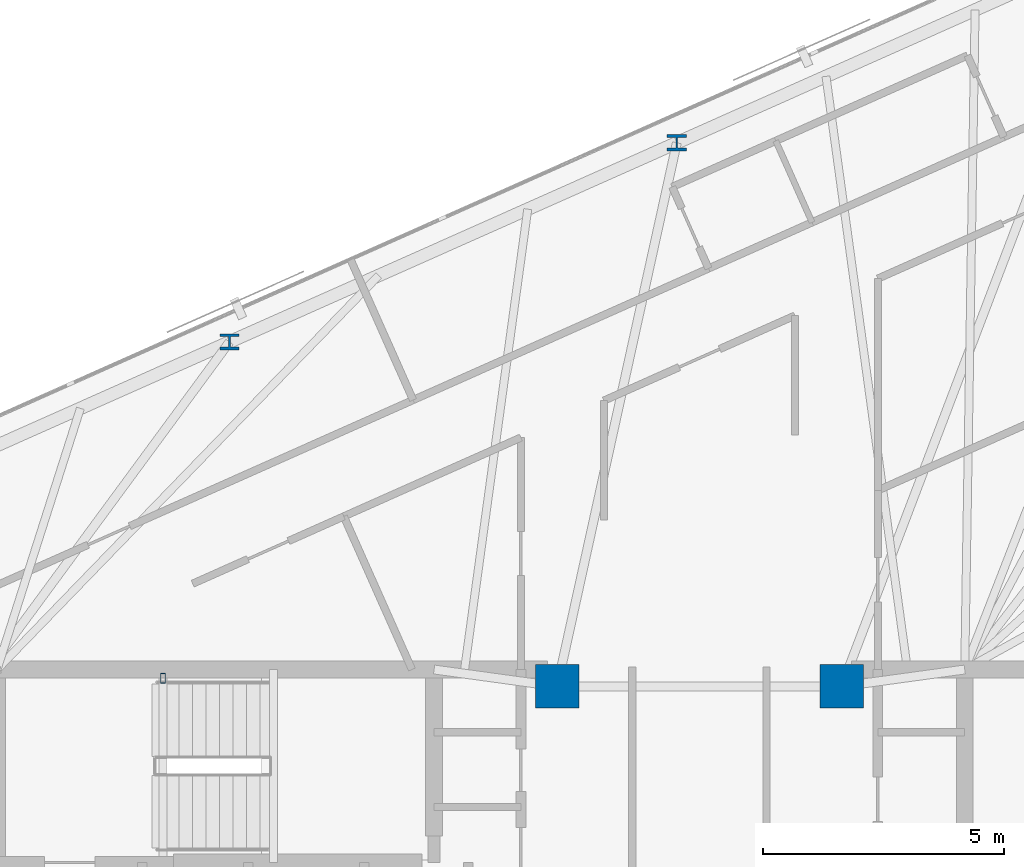
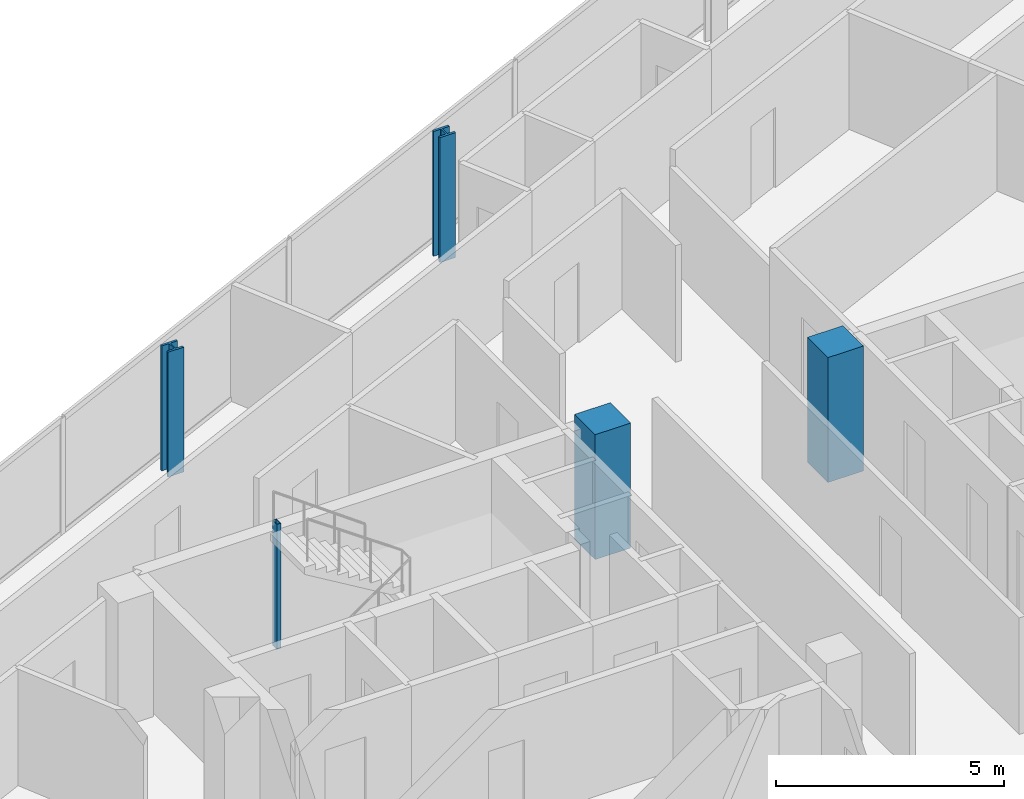
# One storey, part 2 of 19: 5 columns.
"""IFC4 building model written with IfcOpenShell, lengths in metres."""

import ifcopenshell
import ifcopenshell.guid

model = None  # the IFC model being written
_history = None  # IfcOwnerHistory: only IFC2X3 demands one
_inside = {}  # id of a spatial element -> (the spatial element, [elements in it])
_under = {}  # id of a project, library or spatial element -> (it, [spatial elements below it])
_declared = {}  # id of a project -> (the project, [libraries it declares])
_typed = {}  # id of a type object -> (the type object, [elements of that type])
_made_of = {}  # id of a material, layer set ... -> (it, [elements and type objects made of it])


def new_model(schema):
    """Start an empty IFC model of exactly this schema.

    Asked for "IFC4X3", IfcOpenShell would pick the latest addendum, in which some entities
    have other attributes; the version numbers below select the first issue.
    IFC2X3 requires an IfcOwnerHistory on every rooted entity: one is made here for all.
    """
    global model, _history
    if schema == "IFC4X3":
        model = ifcopenshell.file(schema_version=(4, 3, 0, 0))
    else:
        model = ifcopenshell.file(schema=schema)
    _inside.clear()
    _under.clear()
    _declared.clear()
    _typed.clear()
    _made_of.clear()
    _history = None
    if model.schema == "IFC2X3":
        org = make("IfcOrganization", Name="unknown")
        user = make(
            "IfcPersonAndOrganization",
            ThePerson=make("IfcPerson", FamilyName="unknown"),
            TheOrganization=org,
        )
        app = make(
            "IfcApplication",
            ApplicationDeveloper=org,
            Version="unknown",
            ApplicationFullName="unknown",
            ApplicationIdentifier="unknown",
        )
        _history = make(
            "IfcOwnerHistory",
            OwningUser=user,
            OwningApplication=app,
            ChangeAction="ADDED",
            CreationDate=0,
        )
    return model


def make(cls, **values):
    """One entity of the class cls with the attributes given. An attribute that is None is left unset."""
    return model.create_entity(
        cls, **{name: value for name, value in values.items() if value is not None}
    )


def rooted(cls, **values):
    """An entity with a GlobalId (a new one), such as an element, a storey or a relation."""
    return make(cls, GlobalId=ifcopenshell.guid.new(), OwnerHistory=_history, **values)


def si_unit(unit_type, name, prefix=None):
    """IfcSIUnit, for example si_unit("LENGTHUNIT", "METRE", prefix="MILLI")."""
    return make("IfcSIUnit", UnitType=unit_type, Prefix=prefix, Name=name)


def assignment(units):
    """IfcUnitAssignment: the units of a project."""
    return None if units is None else make("IfcUnitAssignment", Units=units)


def point(xyz):
    """IfcCartesianPoint."""
    return None if xyz is None else make("IfcCartesianPoint", Coordinates=xyz)


def direction(xyz):
    """IfcDirection."""
    return None if xyz is None else make("IfcDirection", DirectionRatios=xyz)


def frame(location, z_axis=None, x_axis=None):
    """IfcAxis2Placement3D, a coordinate frame: its origin and axes. An axis left out is left unset."""
    return make(
        "IfcAxis2Placement3D",
        Location=point(location),
        Axis=direction(z_axis),
        RefDirection=direction(x_axis),
    )


def frame_2d(location, x_axis=None):
    """IfcAxis2Placement2D, a coordinate frame in the plane: its origin and x axis."""
    return make(
        "IfcAxis2Placement2D", Location=point(location), RefDirection=direction(x_axis)
    )


def origin():
    """The frame at (0, 0, 0) with its axes left unset."""
    return frame((0.0, 0.0, 0.0))


def origin_2d():
    """The frame at (0, 0) in the plane with its x axis left unset."""
    return frame_2d((0.0, 0.0))


def place(relative_to, where):
    """IfcLocalPlacement: puts the frame where relative to a parent placement (None: the world)."""
    return make(
        "IfcLocalPlacement", PlacementRelTo=relative_to, RelativePlacement=where
    )


def context(
    kind, dimensions, precision=None, world=None, true_north=None, identifier=None
):
    """IfcGeometricRepresentationContext, for example the 3D "Model" context."""
    return make(
        "IfcGeometricRepresentationContext",
        ContextIdentifier=identifier,
        ContextType=kind,
        CoordinateSpaceDimension=dimensions,
        Precision=precision,
        WorldCoordinateSystem=world,
        TrueNorth=true_north,
    )


def subcontext(parent, identifier, kind, view, scale=None):
    """IfcGeometricRepresentationSubContext, for example "Body" below "Model"."""
    return make(
        "IfcGeometricRepresentationSubContext",
        ContextIdentifier=identifier,
        ContextType=kind,
        ParentContext=parent,
        TargetScale=scale,
        TargetView=view,
    )


def project(units=None, contexts=None):
    """IfcProject with its units and contexts."""
    return rooted(
        "IfcProject",
        Name="project",
        RepresentationContexts=contexts,
        UnitsInContext=assignment(units),
    )


def spatial(cls, under=None, at=None, **own):
    """A site, building, storey or space (cls), placed at a placement, below another one or the project."""
    s = rooted(cls, ObjectPlacement=at, **own)
    if under is not None:
        _under.setdefault(under.id(), (under, []))[1].append(s)
    return s


def profile(cls, at=None, kind="AREA", **sizes):
    """A parametric profile (cls). Its sizes go by their IFC names, for example OverallWidth=200.0."""
    return make(cls, ProfileType=kind, Position=at, **sizes)


def rectangle(**sizes):
    """IfcRectangleProfileDef."""
    return profile("IfcRectangleProfileDef", **sizes)


def hollow_rectangle(**sizes):
    """IfcRectangleHollowProfileDef."""
    return profile("IfcRectangleHollowProfileDef", **sizes)


def i_section(**sizes):
    """IfcIShapeProfileDef."""
    return profile("IfcIShapeProfileDef", **sizes)


def extrude(swept, where, along, depth):
    """IfcExtrudedAreaSolid: the profile swept, set in the frame where, extruded along a direction by depth."""
    return make(
        "IfcExtrudedAreaSolid",
        SweptArea=swept,
        Position=where,
        ExtrudedDirection=direction(along),
        Depth=depth,
    )


def shape(context_of_items, identifier, shape_type, items):
    """IfcShapeRepresentation: the items that make up one representation, for example the "Body"."""
    return make(
        "IfcShapeRepresentation",
        ContextOfItems=context_of_items,
        RepresentationIdentifier=identifier,
        RepresentationType=shape_type,
        Items=items,
    )


def material(Name=None, Category=None):
    """IfcMaterial."""
    return make("IfcMaterial", Name=Name, Category=Category)


def material_profile(
    of_material, cross_section, Name=None, Category=None, Priority=None
):
    """IfcMaterialProfile: a cross section and its material."""
    return make(
        "IfcMaterialProfile",
        Name=Name,
        Material=of_material,
        Profile=cross_section,
        Priority=Priority,
        Category=Category,
    )


def profile_set(profiles, Name=None, composite=None):
    """IfcMaterialProfileSet."""
    return make(
        "IfcMaterialProfileSet",
        Name=Name,
        MaterialProfiles=profiles,
        CompositeProfile=composite,
    )


def made_of(thing, what):
    """Note that an element or type object is made of a material, layer set ...; save() writes the relation."""
    if what is not None:
        _made_of.setdefault(what.id(), (what, []))[1].append(thing)
    return thing


def type_object(cls, material=None, **own):
    """A type object (cls), such as IfcWallType, which elements share."""
    return made_of(rooted(cls, **own), material)


def element(
    cls,
    number,
    at=None,
    inside=None,
    cuts=None,
    type_object=None,
    material=None,
    context=None,
    identifier="Body",
    shape_type=None,
    held_by="IfcProductDefinitionShape",
    body=None,
    shapes=None,
    **own,
):
    """One element of the class cls, such as IfcWall. Its Tag is "e" and its number.

    at: its placement. inside: the storey or other place that contains it. cuts: it is an
    opening in that element (IfcRelVoidsElement). A single representation is given by context,
    identifier, shape_type and body (its items); several are given by shapes. held_by: the class
    of the entity that holds the representations. save() writes the other relations.
    """
    e = rooted(cls, Tag="e%d" % number, ObjectPlacement=at, **own)
    if body is not None:
        shapes = [shape(context, identifier, shape_type, body)]
    if shapes is not None:
        e.Representation = make(held_by, Representations=shapes)
    if inside is not None:
        _inside.setdefault(inside.id(), (inside, []))[1].append(e)
    if cuts is not None:
        rooted(
            "IfcRelVoidsElement", RelatingBuildingElement=cuts, RelatedOpeningElement=e
        )
    if type_object is not None:
        _typed.setdefault(type_object.id(), (type_object, []))[1].append(e)
    return made_of(e, material)


def aggregate(whole, parts):
    """IfcRelAggregates: a whole, such as a stair, and the parts it consists of."""
    return rooted("IfcRelAggregates", RelatingObject=whole, RelatedObjects=parts)


def save(model, path):
    """Write the relations noted so far, then the file.

    IfcRelAggregates (storeys below a building ...), IfcRelContainedInSpatialStructure (elements
    in a storey), IfcRelDefinesByType, IfcRelAssociatesMaterial and IfcRelDeclares: one each for
    every whole, place, type object, material and project.
    """
    for whole, parts in _under.values():
        aggregate(whole, parts)
    for where, things in _inside.values():
        rooted(
            "IfcRelContainedInSpatialStructure",
            RelatedElements=things,
            RelatingStructure=where,
        )
    for kind, things in _typed.values():
        rooted("IfcRelDefinesByType", RelatedObjects=things, RelatingType=kind)
    for what, things in _made_of.values():
        rooted("IfcRelAssociatesMaterial", RelatedObjects=things, RelatingMaterial=what)
    for by, libraries in _declared.values():
        rooted("IfcRelDeclares", RelatingContext=by, RelatedDefinitions=libraries)
    model.write(path)


model = new_model("IFC4")

# Units and contexts
model_context = context("Model", 3, precision=1e-05, world=origin(), true_north=direction((0.0, 1.0)))
body_context = subcontext(model_context, "Body", "Model", "MODEL_VIEW")
ifc_project = project(units=[si_unit("LENGTHUNIT", "METRE"), si_unit("AREAUNIT", "SQUARE_METRE"), si_unit("VOLUMEUNIT", "CUBIC_METRE"), si_unit("PLANEANGLEUNIT", "RADIAN"), si_unit("MASSUNIT", "GRAM", prefix="KILO")], contexts=[model_context])

# Site, building, storey
site_placement = place(None, origin())
site = spatial("IfcSite", under=ifc_project, at=site_placement, CompositionType="ELEMENT")
building_placement = place(site_placement, origin())
building = spatial("IfcBuilding", under=site, at=building_placement, Name="Menara Jurai Vektor", CompositionType="ELEMENT")
storey_placement = place(building_placement, frame((0.0, 0.0, 268.89990234375)))
storey = spatial("IfcBuildingStorey", under=building, at=storey_placement, Name="L72", CompositionType="ELEMENT", Elevation=268.89990234375)

# Columns
ifc_material_1 = material(Name="Concrete C50/60", Category="concrete")
ifc_material_profile_1 = material_profile(ifc_material_1, rectangle(XDim=0.89990234375, YDim=0.89990234375, at=origin_2d()), Name="RC 900x900")
ifc_profile_set_1 = profile_set([ifc_material_profile_1], Name="Concrete C50/60")
column_type_1 = type_object("IfcColumnType", Name="STR-COL-RC900", PredefinedType="COLUMN", material=ifc_profile_set_1)
for number, where, z_axis, x_axis, name in (
    (1, (-2.949951171875, 5.25, 0.0), (0.0, 0.0, 1.0), (1.0, 0.0, 0.0), "Core Spine Column CW-NE L72"),
    (2, (2.949951171875, 5.25, 0.0), (0.0, 0.0, 1.0), (1.0, 0.0, 0.0), "Core Spine Column CE-NW L72"),
):
    element("IfcColumn", number, at=place(storey_placement, frame(where, z_axis=z_axis, x_axis=x_axis)), inside=storey, type_object=column_type_1, Name=name, PredefinedType="COLUMN", context=body_context, shape_type="SweptSolid", body=[
        extrude(rectangle(XDim=0.89990234375, YDim=0.89990234375, at=origin_2d()), origin(), (0.0, 0.0, 1.0), 3.35009765625),
    ])
ifc_material_2 = material(Name="Steel S355", Category="steel")
ifc_material_profile_2 = material_profile(ifc_material_2, hollow_rectangle(XDim=0.10009765625, YDim=0.199951171875, WallThickness=0.008056640625, at=origin_2d()), Name="RHS 200x100x8")
ifc_profile_set_2 = profile_set([ifc_material_profile_2], Name="Steel S355")
column_type_2 = type_object("IfcColumnType", Name="STR-COL-STAIR", PredefinedType="COLUMN", material=ifc_profile_set_2)
column_placement = place(storey_placement, frame((-11.1201171875, 5.419921875, 0.0), z_axis=(0.0, 0.0, 1.0), x_axis=(1.0, 0.0, 0.0)))
element("IfcColumn", 3, at=column_placement, inside=storey, type_object=column_type_2, Name="Stair Well Header Column ST1-P2 L72", PredefinedType="COLUMN", context=body_context, shape_type="SweptSolid", body=[
    extrude(hollow_rectangle(XDim=0.10009765625, YDim=0.199951171875, WallThickness=0.008056640625, at=origin_2d()), origin(), (0.0, 0.0, 1.0), 3.35009765625),
])
ifc_material_3 = material(Name="Steel S460", Category="steel")
ifc_material_profile_3 = material_profile(ifc_material_3, i_section(OverallWidth=0.40087890625, OverallDepth=0.3349609375, WebThickness=0.035888671875, FlangeThickness=0.05810546875, FilletRadius=0.014892578125, at=origin_2d()), Name="HD 400x463")
ifc_profile_set_3 = profile_set([ifc_material_profile_3], Name="Steel S460")
column_type_3 = type_object("IfcColumnType", Name="STR-EXO-BLK5", PredefinedType="COLUMN", material=ifc_profile_set_3)
for number, where, z_axis, x_axis, name in (
    (4, (-0.467529296875, 16.519287109375, 0.0), (0.0, 0.0, 1.0), (1.0, 0.0, 0.0), "Exoskeleton Column BLK5-N3 L72"),
    (5, (-9.740966796875, 12.390380859375, 0.0), (0.0, 0.0, 1.0), (1.0, 0.0, 0.0), "Exoskeleton Column BLK5-N4 L72"),
):
    element("IfcColumn", number, at=place(storey_placement, frame(where, z_axis=z_axis, x_axis=x_axis)), inside=storey, type_object=column_type_3, Name=name, PredefinedType="COLUMN", context=body_context, shape_type="SweptSolid", body=[
        extrude(i_section(OverallWidth=0.40087890625, OverallDepth=0.3349609375, WebThickness=0.035888671875, FlangeThickness=0.05810546875, FilletRadius=0.014892578125, at=origin_2d()), origin(), (0.0, 0.0, 1.0), 3.35009765625),
    ])

save(model, "model.ifc")
